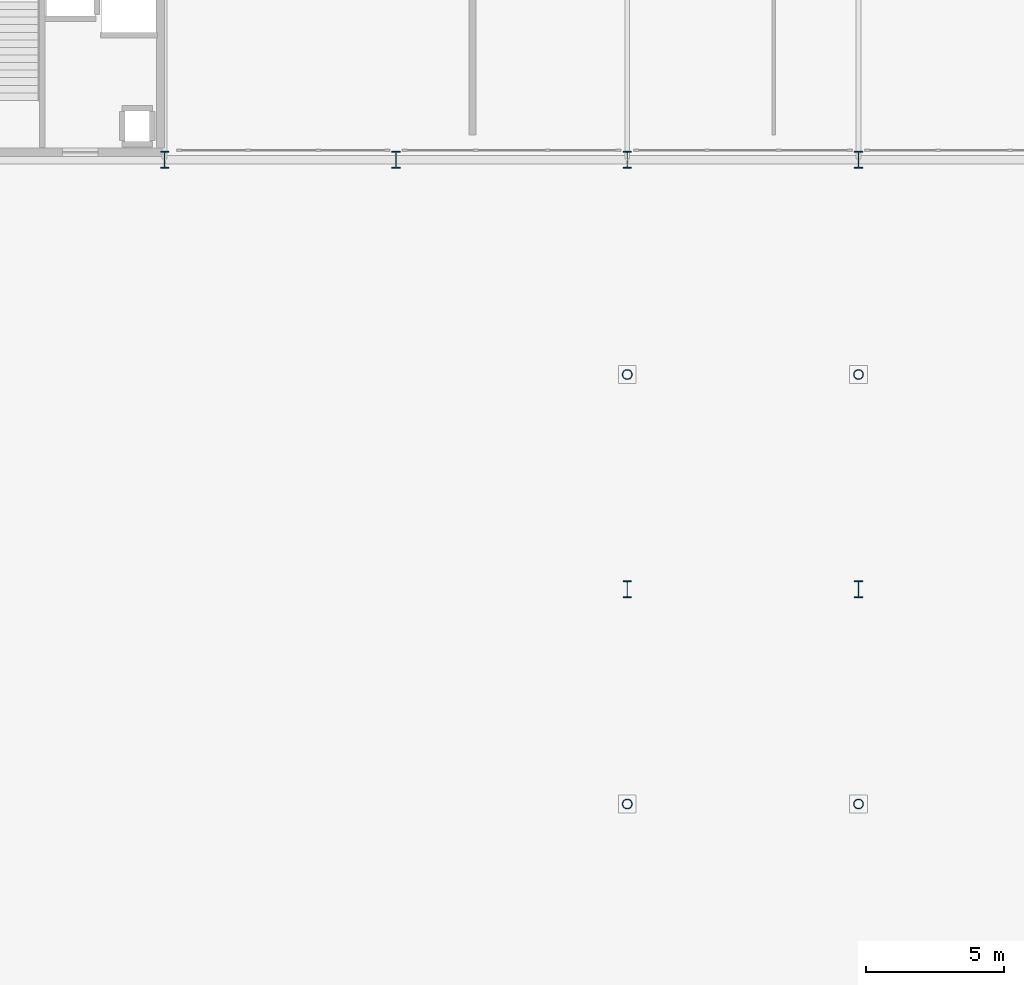
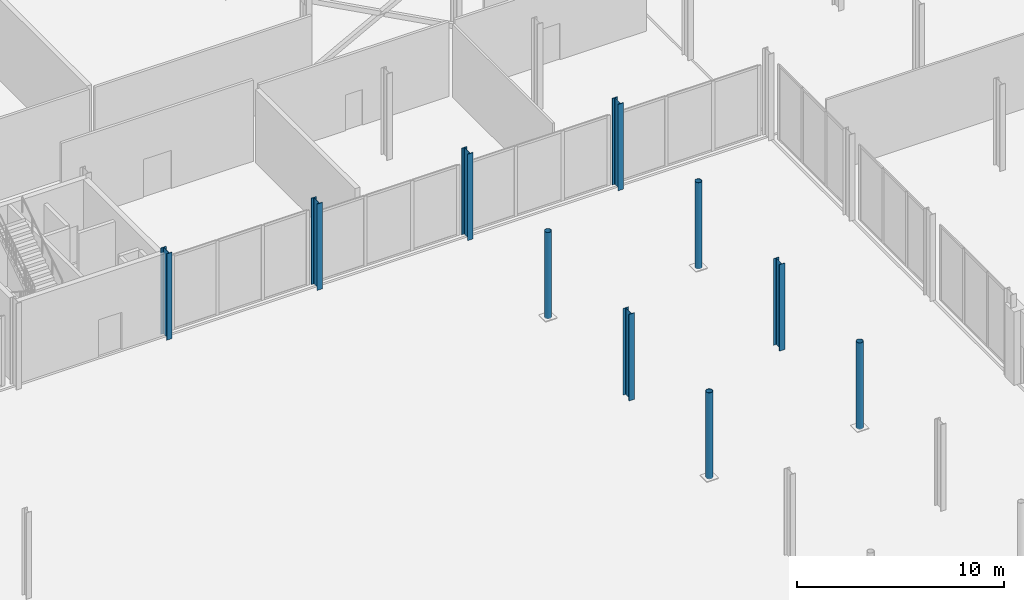
# One storey, part 10 of 80: 10 columns.
"""IFC4 building model written with IfcOpenShell, lengths in metres."""

from ifc_helpers import new_model, si_unit, direction, frame, origin, origin_2d, place, context, subcontext, project, spatial, hollow_circle, i_section, extrude, material, material_profile, profile_set, type_object, element, save


model = new_model("IFC4")

# Units and contexts
model_context = context("Model", 3, precision=1e-05, world=origin(), true_north=direction((0.0, 1.0)))
body_context = subcontext(model_context, "Body", "Model", "MODEL_VIEW")
ifc_project = project(units=[si_unit("LENGTHUNIT", "METRE"), si_unit("AREAUNIT", "SQUARE_METRE"), si_unit("VOLUMEUNIT", "CUBIC_METRE"), si_unit("PLANEANGLEUNIT", "RADIAN"), si_unit("MASSUNIT", "GRAM", prefix="KILO")], contexts=[model_context])

# Site, building, storey
site_placement = place(None, origin())
site = spatial("IfcSite", under=ifc_project, at=site_placement, CompositionType="ELEMENT")
building_placement = place(site_placement, origin())
building = spatial("IfcBuilding", under=site, at=building_placement, Name="Nabrawat Pavilion Hospital", CompositionType="ELEMENT")
storey_placement = place(building_placement, origin())
storey = spatial("IfcBuildingStorey", under=building, at=storey_placement, Name="L00", CompositionType="ELEMENT", Elevation=0.0)

# Columns
ifc_material = material(Name="Steel S355", Category="steel")
ifc_material_profile_1 = material_profile(ifc_material, i_section(OverallWidth=0.300048828125, OverallDepth=0.60009765625, WebThickness=0.015380859375, FlangeThickness=0.030029296875, FilletRadius=0.027099609375, at=origin_2d()), Name="HEB 600")
ifc_profile_set_1 = profile_set([ifc_material_profile_1], Name="Steel S355")
column_type_1 = type_object("IfcColumnType", Name="Composite Steel Column HEB 600", PredefinedType="COLUMN", material=ifc_profile_set_1)
for number, where, z_axis, x_axis, name in (
    (1, (92.39990234375, 85.800048828125, 0.0), (0.0, 0.0, 1.0), (1.0, 0.0, 0.0), "L00 Structural Column G-12-M1"),
    (2, (100.800048828125, 85.800048828125, 0.0), (0.0, 0.0, 1.0), (1.0, 0.0, 0.0), "L00 Structural Column G-13-M1"),
    (3, (109.199951171875, 70.199951171875, 0.0), (0.0, 0.0, 1.0), (1.0, 0.0, 0.0), "L00 Structural Column G-14-K"),
    (4, (109.199951171875, 85.800048828125, 0.0), (0.0, 0.0, 1.0), (1.0, 0.0, 0.0), "L00 Structural Column G-14-M1"),
    (5, (117.60009765625, 70.199951171875, 0.0), (0.0, 0.0, 1.0), (1.0, 0.0, 0.0), "L00 Structural Column G-15-K"),
    (6, (117.60009765625, 85.800048828125, 0.0), (0.0, 0.0, 1.0), (1.0, 0.0, 0.0), "L00 Structural Column G-15-M1"),
):
    element("IfcColumn", number, at=place(storey_placement, frame(where, z_axis=z_axis, x_axis=x_axis)), inside=storey, type_object=column_type_1, Name=name, PredefinedType="COLUMN", context=body_context, shape_type="SweptSolid", body=[
        extrude(i_section(OverallWidth=0.300048828125, OverallDepth=0.60009765625, WebThickness=0.015380859375, FlangeThickness=0.030029296875, FilletRadius=0.027099609375, at=origin_2d()), origin(), (0.0, 0.0, 1.0), 5.10009765625),
    ])
ifc_material_profile_2 = material_profile(ifc_material, hollow_circle(Radius=0.177734375, WallThickness=0.01611328125, at=origin_2d()), Name="CHS 355.6x16")
ifc_profile_set_2 = profile_set([ifc_material_profile_2], Name="Steel S355")
column_type_2 = type_object("IfcColumnType", Name="Courtyard Link Bridge Column CHS 355.6x16", PredefinedType="COLUMN", material=ifc_profile_set_2)
for number, where, z_axis, x_axis, name in (
    (7, (109.199951171875, 62.39990234375, 0.0), (0.0, 0.0, 1.0), (1.0, 0.0, 0.0), "L00 Structural Column G-14-J"),
    (8, (109.199951171875, 78.0, 0.0), (0.0, 0.0, 1.0), (1.0, 0.0, 0.0), "L00 Structural Column G-14-L"),
    (9, (117.60009765625, 62.39990234375, 0.0), (0.0, 0.0, 1.0), (1.0, 0.0, 0.0), "L00 Structural Column G-15-J"),
    (10, (117.60009765625, 78.0, 0.0), (0.0, 0.0, 1.0), (1.0, 0.0, 0.0), "L00 Structural Column G-15-L"),
):
    element("IfcColumn", number, at=place(storey_placement, frame(where, z_axis=z_axis, x_axis=x_axis)), inside=storey, type_object=column_type_2, Name=name, PredefinedType="COLUMN", context=body_context, shape_type="SweptSolid", body=[
        extrude(hollow_circle(Radius=0.177734375, WallThickness=0.01611328125, at=origin_2d()), origin(), (0.0, 0.0, 1.0), 5.10009765625),
    ])

save(model, "model.ifc")
